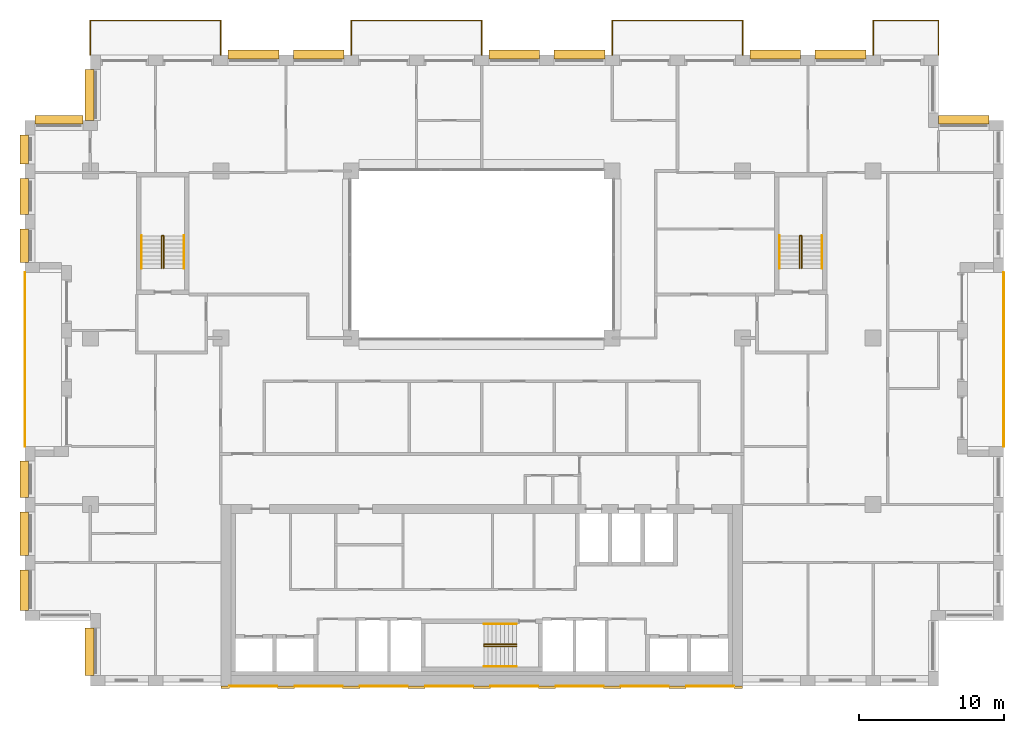
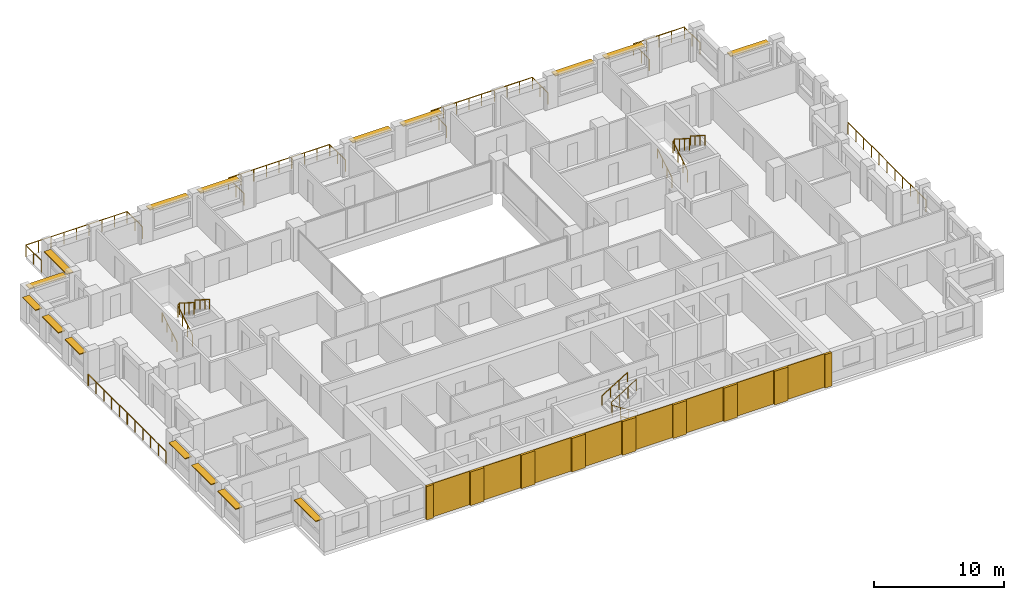
# One storey, part 16 of 16: 17 coverings, 16 shading devices, 15 railings.
"""IFC4 building model written with IfcOpenShell, lengths in metres."""

from ifc_helpers import new_model, si_unit, direction, frame, origin, origin_2d, place, context, subcontext, project, spatial, rectangle, circle, extrude, material, layer, layer_set, type_object, element, save


model = new_model("IFC4")

# Units and contexts
model_context = context("Model", 3, precision=1e-05, world=origin(), true_north=direction((0.0, 1.0)))
body_context = subcontext(model_context, "Body", "Model", "MODEL_VIEW")
ifc_project = project(units=[si_unit("LENGTHUNIT", "METRE"), si_unit("AREAUNIT", "SQUARE_METRE"), si_unit("VOLUMEUNIT", "CUBIC_METRE"), si_unit("PLANEANGLEUNIT", "RADIAN"), si_unit("MASSUNIT", "GRAM", prefix="KILO")], contexts=[model_context])

# Site, building, storey
site_placement = place(None, origin())
site = spatial("IfcSite", under=ifc_project, at=site_placement, CompositionType="ELEMENT")
building_placement = place(site_placement, origin())
building = spatial("IfcBuilding", under=site, at=building_placement, Name="Brigalow Station Residences", CompositionType="ELEMENT")
storey_placement = place(building_placement, frame((0.0, 0.0, 169.64990234375)))
storey = spatial("IfcBuildingStorey", under=building, at=storey_placement, Name="L49", CompositionType="ELEMENT", Elevation=169.64990234375)

# Railings
ifc_material_1 = material(Name="Stainless steel balustrade with laminated glass infill", Category="steel")
railing_type_1 = type_object("IfcRailingType", Name="BALCONY GUARD 1100", PredefinedType="GUARDRAIL", material=ifc_material_1)
railing_1_placement = place(storey_placement, frame((72.0, 16.5, -0.039794921875)))
element("IfcRailing", 1, at=railing_1_placement, inside=storey, type_object=railing_type_1, Name="L49/balcony-guard/1", PredefinedType="GUARDRAIL", context=body_context, shape_type="SweptSolid", body=[
    extrude(circle(Radius=0.02392578125, at=origin_2d()), frame((0.0, 0.0, 1.076171875), z_axis=(0.0, 1.0, 0.0), x_axis=(-1.0, 0.0, 0.0)), (0.0, 0.0, 1.0), 12.0),
    extrude(circle(Radius=0.02099609375, at=origin_2d()), origin(), (0.0, 0.0, 1.0), 1.052001953125),
    extrude(circle(Radius=0.02099609375, at=origin_2d()), frame((0.0, 1.199951171875, 0.0)), (0.0, 0.0, 1.0), 1.052001953125),
    extrude(circle(Radius=0.02099609375, at=origin_2d()), frame((0.0, 2.39990234375, 0.0)), (0.0, 0.0, 1.0), 1.052001953125),
    extrude(circle(Radius=0.02099609375, at=origin_2d()), frame((0.0, 3.60009765625, 0.0)), (0.0, 0.0, 1.0), 1.052001953125),
    extrude(circle(Radius=0.02099609375, at=origin_2d()), frame((0.0, 4.800048828125, 0.0)), (0.0, 0.0, 1.0), 1.052001953125),
    extrude(circle(Radius=0.02099609375, at=origin_2d()), frame((0.0, 6.0, 0.0)), (0.0, 0.0, 1.0), 1.052001953125),
    extrude(circle(Radius=0.02099609375, at=origin_2d()), frame((0.0, 7.199951171875, 0.0)), (0.0, 0.0, 1.0), 1.052001953125),
    extrude(circle(Radius=0.02099609375, at=origin_2d()), frame((0.0, 8.39990234375, 0.0)), (0.0, 0.0, 1.0), 1.052001953125),
    extrude(circle(Radius=0.02099609375, at=origin_2d()), frame((0.0, 9.60009765625, 0.0)), (0.0, 0.0, 1.0), 1.052001953125),
    extrude(circle(Radius=0.02099609375, at=origin_2d()), frame((0.0, 10.800048828125, 0.0)), (0.0, 0.0, 1.0), 1.052001953125),
    extrude(circle(Radius=0.02099609375, at=origin_2d()), frame((0.0, 12.0, 0.0)), (0.0, 0.0, 1.0), 1.052001953125),
])
railing_2_placement = place(storey_placement, frame((67.5, 43.5, -0.039794921875)))
element("IfcRailing", 2, at=railing_2_placement, inside=storey, type_object=railing_type_1, Name="L49/balcony-guard/2", PredefinedType="GUARDRAIL", context=body_context, shape_type="SweptSolid", body=[
    extrude(circle(Radius=0.02392578125, at=origin_2d()), frame((0.0, 0.0, 1.076171875), z_axis=(0.0, 1.0, 0.0), x_axis=(-1.0, 0.0, 0.0)), (0.0, 0.0, 1.0), 2.39990234375),
    extrude(circle(Radius=0.02392578125, at=origin_2d()), frame((0.0, 2.39990234375, 1.076171875), z_axis=(-1.0, 0.0, 0.0), x_axis=(0.0, -1.0, 0.0)), (0.0, 0.0, 1.0), 4.5),
    extrude(circle(Radius=0.02392578125, at=origin_2d()), frame((-4.5, 2.39990234375, 1.076171875), z_axis=(0.0, -1.0, 0.0), x_axis=(1.0, 0.0, 0.0)), (0.0, 0.0, 1.0), 2.39990234375),
    extrude(circle(Radius=0.02099609375, at=origin_2d()), origin(), (0.0, 0.0, 1.0), 1.052001953125),
    extrude(circle(Radius=0.02099609375, at=origin_2d()), frame((0.0, 1.199951171875, 0.0)), (0.0, 0.0, 1.0), 1.052001953125),
    extrude(circle(Radius=0.02099609375, at=origin_2d()), frame((0.0, 2.39990234375, 0.0)), (0.0, 0.0, 1.0), 1.052001953125),
    extrude(circle(Radius=0.02099609375, at=origin_2d()), frame((-1.125, 2.39990234375, 0.0)), (0.0, 0.0, 1.0), 1.052001953125),
    extrude(circle(Radius=0.02099609375, at=origin_2d()), frame((-2.25, 2.39990234375, 0.0)), (0.0, 0.0, 1.0), 1.052001953125),
    extrude(circle(Radius=0.02099609375, at=origin_2d()), frame((-3.375, 2.39990234375, 0.0)), (0.0, 0.0, 1.0), 1.052001953125),
    extrude(circle(Radius=0.02099609375, at=origin_2d()), frame((-4.5, 2.39990234375, 0.0)), (0.0, 0.0, 1.0), 1.052001953125),
    extrude(circle(Radius=0.02099609375, at=origin_2d()), frame((-4.5, 1.199951171875, 0.0)), (0.0, 0.0, 1.0), 1.052001953125),
    extrude(circle(Radius=0.02099609375, at=origin_2d()), frame((-4.5, 0.0, 0.0)), (0.0, 0.0, 1.0), 1.052001953125),
])
railing_3_placement = place(storey_placement, frame((54.0, 43.5, -0.039794921875)))
element("IfcRailing", 3, at=railing_3_placement, inside=storey, type_object=railing_type_1, Name="L49/balcony-guard/3", PredefinedType="GUARDRAIL", context=body_context, shape_type="SweptSolid", body=[
    extrude(circle(Radius=0.02392578125, at=origin_2d()), frame((0.0, 0.0, 1.076171875), z_axis=(0.0, 1.0, 0.0), x_axis=(-1.0, 0.0, 0.0)), (0.0, 0.0, 1.0), 2.39990234375),
    extrude(circle(Radius=0.02392578125, at=origin_2d()), frame((0.0, 2.39990234375, 1.076171875), z_axis=(-1.0, 0.0, 0.0), x_axis=(0.0, -1.0, 0.0)), (0.0, 0.0, 1.0), 9.0),
    extrude(circle(Radius=0.02392578125, at=origin_2d()), frame((-9.0, 2.39990234375, 1.076171875), z_axis=(0.0, -1.0, 0.0), x_axis=(1.0, 0.0, 0.0)), (0.0, 0.0, 1.0), 2.39990234375),
    extrude(circle(Radius=0.02099609375, at=origin_2d()), origin(), (0.0, 0.0, 1.0), 1.052001953125),
    extrude(circle(Radius=0.02099609375, at=origin_2d()), frame((0.0, 1.199951171875, 0.0)), (0.0, 0.0, 1.0), 1.052001953125),
    extrude(circle(Radius=0.02099609375, at=origin_2d()), frame((0.0, 2.39990234375, 0.0)), (0.0, 0.0, 1.0), 1.052001953125),
    extrude(circle(Radius=0.02099609375, at=origin_2d()), frame((-1.125, 2.39990234375, 0.0)), (0.0, 0.0, 1.0), 1.052001953125),
    extrude(circle(Radius=0.02099609375, at=origin_2d()), frame((-2.25, 2.39990234375, 0.0)), (0.0, 0.0, 1.0), 1.052001953125),
    extrude(circle(Radius=0.02099609375, at=origin_2d()), frame((-3.375, 2.39990234375, 0.0)), (0.0, 0.0, 1.0), 1.052001953125),
    extrude(circle(Radius=0.02099609375, at=origin_2d()), frame((-4.5, 2.39990234375, 0.0)), (0.0, 0.0, 1.0), 1.052001953125),
    extrude(circle(Radius=0.02099609375, at=origin_2d()), frame((-5.625, 2.39990234375, 0.0)), (0.0, 0.0, 1.0), 1.052001953125),
    extrude(circle(Radius=0.02099609375, at=origin_2d()), frame((-6.75, 2.39990234375, 0.0)), (0.0, 0.0, 1.0), 1.052001953125),
    extrude(circle(Radius=0.02099609375, at=origin_2d()), frame((-7.875, 2.39990234375, 0.0)), (0.0, 0.0, 1.0), 1.052001953125),
    extrude(circle(Radius=0.02099609375, at=origin_2d()), frame((-9.0, 2.39990234375, 0.0)), (0.0, 0.0, 1.0), 1.052001953125),
    extrude(circle(Radius=0.02099609375, at=origin_2d()), frame((-9.0, 1.199951171875, 0.0)), (0.0, 0.0, 1.0), 1.052001953125),
    extrude(circle(Radius=0.02099609375, at=origin_2d()), frame((-9.0, 0.0, 0.0)), (0.0, 0.0, 1.0), 1.052001953125),
])
railing_4_placement = place(storey_placement, frame((36.0, 43.5, -0.039794921875)))
element("IfcRailing", 4, at=railing_4_placement, inside=storey, type_object=railing_type_1, Name="L49/balcony-guard/4", PredefinedType="GUARDRAIL", context=body_context, shape_type="SweptSolid", body=[
    extrude(circle(Radius=0.02392578125, at=origin_2d()), frame((0.0, 0.0, 1.076171875), z_axis=(0.0, 1.0, 0.0), x_axis=(-1.0, 0.0, 0.0)), (0.0, 0.0, 1.0), 2.39990234375),
    extrude(circle(Radius=0.02392578125, at=origin_2d()), frame((0.0, 2.39990234375, 1.076171875), z_axis=(-1.0, 0.0, 0.0), x_axis=(0.0, -1.0, 0.0)), (0.0, 0.0, 1.0), 9.0),
    extrude(circle(Radius=0.02392578125, at=origin_2d()), frame((-9.0, 2.39990234375, 1.076171875), z_axis=(0.0, -1.0, 0.0), x_axis=(1.0, 0.0, 0.0)), (0.0, 0.0, 1.0), 2.39990234375),
    extrude(circle(Radius=0.02099609375, at=origin_2d()), origin(), (0.0, 0.0, 1.0), 1.052001953125),
    extrude(circle(Radius=0.02099609375, at=origin_2d()), frame((0.0, 1.199951171875, 0.0)), (0.0, 0.0, 1.0), 1.052001953125),
    extrude(circle(Radius=0.02099609375, at=origin_2d()), frame((0.0, 2.39990234375, 0.0)), (0.0, 0.0, 1.0), 1.052001953125),
    extrude(circle(Radius=0.02099609375, at=origin_2d()), frame((-1.125, 2.39990234375, 0.0)), (0.0, 0.0, 1.0), 1.052001953125),
    extrude(circle(Radius=0.02099609375, at=origin_2d()), frame((-2.25, 2.39990234375, 0.0)), (0.0, 0.0, 1.0), 1.052001953125),
    extrude(circle(Radius=0.02099609375, at=origin_2d()), frame((-3.375, 2.39990234375, 0.0)), (0.0, 0.0, 1.0), 1.052001953125),
    extrude(circle(Radius=0.02099609375, at=origin_2d()), frame((-4.5, 2.39990234375, 0.0)), (0.0, 0.0, 1.0), 1.052001953125),
    extrude(circle(Radius=0.02099609375, at=origin_2d()), frame((-5.625, 2.39990234375, 0.0)), (0.0, 0.0, 1.0), 1.052001953125),
    extrude(circle(Radius=0.02099609375, at=origin_2d()), frame((-6.75, 2.39990234375, 0.0)), (0.0, 0.0, 1.0), 1.052001953125),
    extrude(circle(Radius=0.02099609375, at=origin_2d()), frame((-7.875, 2.39990234375, 0.0)), (0.0, 0.0, 1.0), 1.052001953125),
    extrude(circle(Radius=0.02099609375, at=origin_2d()), frame((-9.0, 2.39990234375, 0.0)), (0.0, 0.0, 1.0), 1.052001953125),
    extrude(circle(Radius=0.02099609375, at=origin_2d()), frame((-9.0, 1.199951171875, 0.0)), (0.0, 0.0, 1.0), 1.052001953125),
    extrude(circle(Radius=0.02099609375, at=origin_2d()), frame((-9.0, 0.0, 0.0)), (0.0, 0.0, 1.0), 1.052001953125),
])
railing_5_placement = place(storey_placement, frame((18.0, 43.5, -0.039794921875)))
element("IfcRailing", 5, at=railing_5_placement, inside=storey, type_object=railing_type_1, Name="L49/balcony-guard/5", PredefinedType="GUARDRAIL", context=body_context, shape_type="SweptSolid", body=[
    extrude(circle(Radius=0.02392578125, at=origin_2d()), frame((0.0, 0.0, 1.076171875), z_axis=(0.0, 1.0, 0.0), x_axis=(-1.0, 0.0, 0.0)), (0.0, 0.0, 1.0), 2.39990234375),
    extrude(circle(Radius=0.02392578125, at=origin_2d()), frame((0.0, 2.39990234375, 1.076171875), z_axis=(-1.0, 0.0, 0.0), x_axis=(0.0, -1.0, 0.0)), (0.0, 0.0, 1.0), 9.0),
    extrude(circle(Radius=0.02392578125, at=origin_2d()), frame((-9.0, 2.39990234375, 1.076171875), z_axis=(0.0, -1.0, 0.0), x_axis=(1.0, 0.0, 0.0)), (0.0, 0.0, 1.0), 2.39990234375),
    extrude(circle(Radius=0.02099609375, at=origin_2d()), origin(), (0.0, 0.0, 1.0), 1.052001953125),
    extrude(circle(Radius=0.02099609375, at=origin_2d()), frame((0.0, 1.199951171875, 0.0)), (0.0, 0.0, 1.0), 1.052001953125),
    extrude(circle(Radius=0.02099609375, at=origin_2d()), frame((0.0, 2.39990234375, 0.0)), (0.0, 0.0, 1.0), 1.052001953125),
    extrude(circle(Radius=0.02099609375, at=origin_2d()), frame((-1.125, 2.39990234375, 0.0)), (0.0, 0.0, 1.0), 1.052001953125),
    extrude(circle(Radius=0.02099609375, at=origin_2d()), frame((-2.25, 2.39990234375, 0.0)), (0.0, 0.0, 1.0), 1.052001953125),
    extrude(circle(Radius=0.02099609375, at=origin_2d()), frame((-3.375, 2.39990234375, 0.0)), (0.0, 0.0, 1.0), 1.052001953125),
    extrude(circle(Radius=0.02099609375, at=origin_2d()), frame((-4.5, 2.39990234375, 0.0)), (0.0, 0.0, 1.0), 1.052001953125),
    extrude(circle(Radius=0.02099609375, at=origin_2d()), frame((-5.625, 2.39990234375, 0.0)), (0.0, 0.0, 1.0), 1.052001953125),
    extrude(circle(Radius=0.02099609375, at=origin_2d()), frame((-6.75, 2.39990234375, 0.0)), (0.0, 0.0, 1.0), 1.052001953125),
    extrude(circle(Radius=0.02099609375, at=origin_2d()), frame((-7.875, 2.39990234375, 0.0)), (0.0, 0.0, 1.0), 1.052001953125),
    extrude(circle(Radius=0.02099609375, at=origin_2d()), frame((-9.0, 2.39990234375, 0.0)), (0.0, 0.0, 1.0), 1.052001953125),
    extrude(circle(Radius=0.02099609375, at=origin_2d()), frame((-9.0, 1.199951171875, 0.0)), (0.0, 0.0, 1.0), 1.052001953125),
    extrude(circle(Radius=0.02099609375, at=origin_2d()), frame((-9.0, 0.0, 0.0)), (0.0, 0.0, 1.0), 1.052001953125),
])
railing_6_placement = place(storey_placement, frame((4.5, 28.5, -0.039794921875)))
element("IfcRailing", 6, at=railing_6_placement, inside=storey, type_object=railing_type_1, Name="L49/balcony-guard/6", PredefinedType="GUARDRAIL", context=body_context, shape_type="SweptSolid", body=[
    extrude(circle(Radius=0.02392578125, at=origin_2d()), frame((0.0, 0.0, 1.076171875), z_axis=(0.0, -1.0, 0.0), x_axis=(1.0, 0.0, 0.0)), (0.0, 0.0, 1.0), 12.0),
    extrude(circle(Radius=0.02099609375, at=origin_2d()), origin(), (0.0, 0.0, 1.0), 1.052001953125),
    extrude(circle(Radius=0.02099609375, at=origin_2d()), frame((0.0, -1.199951171875, 0.0)), (0.0, 0.0, 1.0), 1.052001953125),
    extrude(circle(Radius=0.02099609375, at=origin_2d()), frame((0.0, -2.39990234375, 0.0)), (0.0, 0.0, 1.0), 1.052001953125),
    extrude(circle(Radius=0.02099609375, at=origin_2d()), frame((0.0, -3.60009765625, 0.0)), (0.0, 0.0, 1.0), 1.052001953125),
    extrude(circle(Radius=0.02099609375, at=origin_2d()), frame((0.0, -4.800048828125, 0.0)), (0.0, 0.0, 1.0), 1.052001953125),
    extrude(circle(Radius=0.02099609375, at=origin_2d()), frame((0.0, -6.0, 0.0)), (0.0, 0.0, 1.0), 1.052001953125),
    extrude(circle(Radius=0.02099609375, at=origin_2d()), frame((0.0, -7.199951171875, 0.0)), (0.0, 0.0, 1.0), 1.052001953125),
    extrude(circle(Radius=0.02099609375, at=origin_2d()), frame((0.0, -8.39990234375, 0.0)), (0.0, 0.0, 1.0), 1.052001953125),
    extrude(circle(Radius=0.02099609375, at=origin_2d()), frame((0.0, -9.60009765625, 0.0)), (0.0, 0.0, 1.0), 1.052001953125),
    extrude(circle(Radius=0.02099609375, at=origin_2d()), frame((0.0, -10.800048828125, 0.0)), (0.0, 0.0, 1.0), 1.052001953125),
    extrude(circle(Radius=0.02099609375, at=origin_2d()), frame((0.0, -12.0, 0.0)), (0.0, 0.0, 1.0), 1.052001953125),
])

# Coverings
ifc_material_2 = material(Name="Clay brick masonry", Category="masonry")
ifc_layer_1 = layer(ifc_material_2, 0.06005859375)
ifc_layer_set_1 = layer_set([ifc_layer_1], Name="BRICK PANEL FACING 60")
covering_type_1 = type_object("IfcCoveringType", Name="BRICK PANEL FACING 60", PredefinedType="CLADDING", material=ifc_layer_set_1)
for number, where, z_axis, x_axis, name in (
    (7, (20.25, -0.030029296875, 0.000244140625), (0.0, 0.0, 1.0), (1.0, 0.0, 0.0), "L49/rear-facing/panel-1"),
    (8, (24.75, -0.030029296875, 0.000244140625), (0.0, 0.0, 1.0), (1.0, 0.0, 0.0), "L49/rear-facing/panel-2"),
    (9, (29.25, -0.030029296875, 0.000244140625), (0.0, 0.0, 1.0), (1.0, 0.0, 0.0), "L49/rear-facing/panel-3"),
    (10, (33.75, -0.030029296875, 0.000244140625), (0.0, 0.0, 1.0), (1.0, 0.0, 0.0), "L49/rear-facing/panel-4"),
    (11, (38.25, -0.030029296875, 0.000244140625), (0.0, 0.0, 1.0), (1.0, 0.0, 0.0), "L49/rear-facing/panel-5"),
    (12, (42.75, -0.030029296875, 0.000244140625), (0.0, 0.0, 1.0), (1.0, 0.0, 0.0), "L49/rear-facing/panel-6"),
    (13, (47.25, -0.030029296875, 0.000244140625), (0.0, 0.0, 1.0), (1.0, 0.0, 0.0), "L49/rear-facing/panel-7"),
    (14, (51.75, -0.030029296875, 0.000244140625), (0.0, 0.0, 1.0), (1.0, 0.0, 0.0), "L49/rear-facing/panel-8"),
):
    element("IfcCovering", number, at=place(storey_placement, frame(where, z_axis=z_axis, x_axis=x_axis)), inside=storey, type_object=covering_type_1, Name=name, PredefinedType="CLADDING", context=body_context, shape_type="SweptSolid", body=[
        extrude(rectangle(XDim=3.300048828125, YDim=0.06005859375, at=origin_2d()), origin(), (0.0, 0.0, 1.0), 3.14990234375),
    ])
ifc_material_3 = material(Name="Clay brick masonry", Category="masonry")
ifc_layer_2 = layer(ifc_material_3, 0.199951171875)
ifc_layer_set_2 = layer_set([ifc_layer_2], Name="BRICK PIER FACING 200")
covering_type_2 = type_object("IfcCoveringType", Name="BRICK PIER FACING 200", PredefinedType="CLADDING", material=ifc_layer_set_2)
covering_1_placement = place(storey_placement, frame((18.300048828125, -0.10009765625, 0.000244140625), z_axis=(0.0, 0.0, 1.0), x_axis=(1.0, 0.0, 0.0)))
element("IfcCovering", 15, at=covering_1_placement, inside=storey, type_object=covering_type_2, Name="L49/rear-facing/pier-1", PredefinedType="CLADDING", context=body_context, shape_type="SweptSolid", body=[
    extrude(rectangle(XDim=0.60009765625, YDim=0.199951171875, at=origin_2d()), origin(), (0.0, 0.0, 1.0), 3.14990234375),
])
for number, where, z_axis, x_axis, name in (
    (16, (22.5, -0.10009765625, 0.000244140625), (0.0, 0.0, 1.0), (1.0, 0.0, 0.0), "L49/rear-facing/pier-2"),
    (17, (27.0, -0.10009765625, 0.000244140625), (0.0, 0.0, 1.0), (1.0, 0.0, 0.0), "L49/rear-facing/pier-3"),
    (18, (31.5, -0.10009765625, 0.000244140625), (0.0, 0.0, 1.0), (1.0, 0.0, 0.0), "L49/rear-facing/pier-4"),
    (19, (36.0, -0.10009765625, 0.000244140625), (0.0, 0.0, 1.0), (1.0, 0.0, 0.0), "L49/rear-facing/pier-5"),
    (20, (40.5, -0.10009765625, 0.000244140625), (0.0, 0.0, 1.0), (1.0, 0.0, 0.0), "L49/rear-facing/pier-6"),
    (21, (45.0, -0.10009765625, 0.000244140625), (0.0, 0.0, 1.0), (1.0, 0.0, 0.0), "L49/rear-facing/pier-7"),
    (22, (49.5, -0.10009765625, 0.000244140625), (0.0, 0.0, 1.0), (1.0, 0.0, 0.0), "L49/rear-facing/pier-8"),
):
    element("IfcCovering", number, at=place(storey_placement, frame(where, z_axis=z_axis, x_axis=x_axis)), inside=storey, type_object=covering_type_2, Name=name, PredefinedType="CLADDING", context=body_context, shape_type="SweptSolid", body=[
        extrude(rectangle(XDim=1.199951171875, YDim=0.199951171875, at=origin_2d()), origin(), (0.0, 0.0, 1.0), 3.14990234375),
    ])
covering_2_placement = place(storey_placement, frame((53.699951171875, -0.10009765625, 0.000244140625), z_axis=(0.0, 0.0, 1.0), x_axis=(1.0, 0.0, 0.0)))
element("IfcCovering", 23, at=covering_2_placement, inside=storey, type_object=covering_type_2, Name="L49/rear-facing/pier-9", PredefinedType="CLADDING", context=body_context, shape_type="SweptSolid", body=[
    extrude(rectangle(XDim=0.60009765625, YDim=0.199951171875, at=origin_2d()), origin(), (0.0, 0.0, 1.0), 3.14990234375),
])

# Railings
ifc_material_4 = material(Name="Stainless steel balustrade", Category="steel")
railing_type_2 = type_object("IfcRailingType", Name="STAIR GUARD 1100", PredefinedType="GUARDRAIL", material=ifc_material_4)
railing_7_placement = place(storey_placement, frame((38.39990234375, 2.72998046875, 0.175048828125)))
element("IfcRailing", 24, at=railing_7_placement, inside=storey, type_object=railing_type_2, Name="GUARD GR-2", PredefinedType="GUARDRAIL", context=body_context, shape_type="SweptSolid", body=[
    extrude(circle(Radius=0.02392578125, at=origin_2d()), frame((0.0, 0.0, 1.076171875), z_axis=(-0.847972341737, 0.0, 0.530040477369), x_axis=(0.0, -1.0, 0.0)), (0.0, 0.0, 1.0), 2.6416015625),
    extrude(circle(Radius=0.02392578125, at=origin_2d()), frame((-2.239990234375, 0.0, 2.47607421875), z_axis=(0.0, 0.62549206879, 0.780230524833), x_axis=(-1.0, 0.0, 0.0)), (0.0, 0.0, 1.0), 0.22412109375),
    extrude(circle(Radius=0.02392578125, at=origin_2d()), frame((-2.239990234375, 0.14013671875, 2.65087890625), z_axis=(0.847972341737, 0.0, 0.530040477369), x_axis=(0.0, 1.0, 0.0)), (0.0, 0.0, 1.0), 2.6416015625),
    extrude(circle(Radius=0.02099609375, at=origin_2d()), origin(), (0.0, 0.0, 1.0), 1.052001953125),
    extrude(circle(Radius=0.02099609375, at=origin_2d()), frame((-0.74658203125, 0.0, 0.466796875)), (0.0, 0.0, 1.0), 1.052001953125),
    extrude(circle(Radius=0.02099609375, at=origin_2d()), frame((-1.493408203125, 0.0, 0.933349609375)), (0.0, 0.0, 1.0), 1.052001953125),
    extrude(circle(Radius=0.02099609375, at=origin_2d()), frame((-2.239990234375, 0.0, 1.400146484375)), (0.0, 0.0, 1.0), 1.052001953125),
    extrude(circle(Radius=0.02099609375, at=origin_2d()), frame((-2.239990234375, 0.14013671875, 1.574951171875)), (0.0, 0.0, 1.0), 1.052001953125),
    extrude(circle(Radius=0.02099609375, at=origin_2d()), frame((-1.493408203125, 0.14013671875, 2.041748046875)), (0.0, 0.0, 1.0), 1.052001953125),
    extrude(circle(Radius=0.02099609375, at=origin_2d()), frame((-0.74658203125, 0.14013671875, 2.50830078125)), (0.0, 0.0, 1.0), 1.052001953125),
    extrude(circle(Radius=0.02099609375, at=origin_2d()), frame((0.0, 0.14013671875, 2.97509765625)), (0.0, 0.0, 1.0), 1.052001953125),
])
for number, where, name in (
    (25, (13.929931640625, 28.800048828125, 0.175048828125), "GUARD GR-1"),
    (26, (57.929931640625, 28.800048828125, 0.175048828125), "GUARD GR-3"),
):
    element("IfcRailing", number, at=place(storey_placement, frame(where)), inside=storey, type_object=railing_type_2, Name=name, PredefinedType="GUARDRAIL", context=body_context, shape_type="SweptSolid", body=[
        extrude(circle(Radius=0.02392578125, at=origin_2d()), frame((0.0, 0.0, 1.076171875), z_axis=(0.0, 0.847972341737, 0.530040477369), x_axis=(-1.0, 0.0, 0.0)), (0.0, 0.0, 1.0), 2.6416015625),
        extrude(circle(Radius=0.02392578125, at=origin_2d()), frame((0.0, 2.239990234375, 2.47607421875), z_axis=(0.62549206879, 0.0, 0.780230524833), x_axis=(0.0, 1.0, 0.0)), (0.0, 0.0, 1.0), 0.22412109375),
        extrude(circle(Radius=0.02392578125, at=origin_2d()), frame((0.14013671875, 2.239990234375, 2.65087890625), z_axis=(0.0, -0.847972341737, 0.530040477369), x_axis=(1.0, 0.0, 0.0)), (0.0, 0.0, 1.0), 2.6416015625),
        extrude(circle(Radius=0.02099609375, at=origin_2d()), origin(), (0.0, 0.0, 1.0), 1.052001953125),
        extrude(circle(Radius=0.02099609375, at=origin_2d()), frame((0.0, 0.74658203125, 0.466796875)), (0.0, 0.0, 1.0), 1.052001953125),
        extrude(circle(Radius=0.02099609375, at=origin_2d()), frame((0.0, 1.493408203125, 0.933349609375)), (0.0, 0.0, 1.0), 1.052001953125),
        extrude(circle(Radius=0.02099609375, at=origin_2d()), frame((0.0, 2.239990234375, 1.400146484375)), (0.0, 0.0, 1.0), 1.052001953125),
        extrude(circle(Radius=0.02099609375, at=origin_2d()), frame((0.14013671875, 2.239990234375, 1.574951171875)), (0.0, 0.0, 1.0), 1.052001953125),
        extrude(circle(Radius=0.02099609375, at=origin_2d()), frame((0.14013671875, 1.493408203125, 2.041748046875)), (0.0, 0.0, 1.0), 1.052001953125),
        extrude(circle(Radius=0.02099609375, at=origin_2d()), frame((0.14013671875, 0.74658203125, 2.50830078125)), (0.0, 0.0, 1.0), 1.052001953125),
        extrude(circle(Radius=0.02099609375, at=origin_2d()), frame((0.14013671875, 0.0, 2.97509765625)), (0.0, 0.0, 1.0), 1.052001953125),
    ])
ifc_material_5 = material(Name="Stainless steel handrail", Category="steel")
railing_type_3 = type_object("IfcRailingType", Name="STAIR HANDRAIL 900", PredefinedType="HANDRAIL", material=ifc_material_5)
railing_8_placement = place(storey_placement, frame((38.39990234375, 1.340087890625, 0.175048828125)))
element("IfcRailing", 27, at=railing_8_placement, inside=storey, type_object=railing_type_3, Name="HANDRAIL HR-21", PredefinedType="HANDRAIL", context=body_context, shape_type="SweptSolid", body=[
    extrude(circle(Radius=0.02392578125, at=origin_2d()), frame((0.0, 0.0, 0.8759765625), z_axis=(-0.847972341737, 0.0, 0.530040477369), x_axis=(0.0, -1.0, 0.0)), (0.0, 0.0, 1.0), 2.6416015625),
    extrude(circle(Radius=0.02099609375, at=origin_2d()), origin(), (0.0, 0.0, 1.0), 0.851806640625),
    extrude(circle(Radius=0.02099609375, at=origin_2d()), frame((-0.74658203125, 0.0, 0.466796875)), (0.0, 0.0, 1.0), 0.851806640625),
    extrude(circle(Radius=0.02099609375, at=origin_2d()), frame((-1.493408203125, 0.0, 0.933349609375)), (0.0, 0.0, 1.0), 0.851806640625),
    extrude(circle(Radius=0.02099609375, at=origin_2d()), frame((-2.239990234375, 0.0, 1.400146484375)), (0.0, 0.0, 1.0), 0.851806640625),
])
railing_9_placement = place(storey_placement, frame((36.159912109375, 4.260009765625, 1.75)))
element("IfcRailing", 28, at=railing_9_placement, inside=storey, type_object=railing_type_3, Name="HANDRAIL HR-22", PredefinedType="HANDRAIL", context=body_context, shape_type="SweptSolid", body=[
    extrude(circle(Radius=0.02392578125, at=origin_2d()), frame((0.0, 0.0, 0.8759765625), z_axis=(0.847972341737, 0.0, 0.530040477369), x_axis=(0.0, 1.0, 0.0)), (0.0, 0.0, 1.0), 2.6416015625),
    extrude(circle(Radius=0.02099609375, at=origin_2d()), origin(), (0.0, 0.0, 1.0), 0.851806640625),
    extrude(circle(Radius=0.02099609375, at=origin_2d()), frame((0.74658203125, 0.0, 0.466796875)), (0.0, 0.0, 1.0), 0.851806640625),
    extrude(circle(Radius=0.02099609375, at=origin_2d()), frame((1.493408203125, 0.0, 0.933349609375)), (0.0, 0.0, 1.0), 0.851806640625),
    extrude(circle(Radius=0.02099609375, at=origin_2d()), frame((2.239990234375, 0.0, 1.400146484375)), (0.0, 0.0, 1.0), 0.851806640625),
])
railing_10_placement = place(storey_placement, frame((12.5400390625, 28.800048828125, 0.175048828125)))
element("IfcRailing", 29, at=railing_10_placement, inside=storey, type_object=railing_type_3, Name="HANDRAIL HR-11", PredefinedType="HANDRAIL", context=body_context, shape_type="SweptSolid", body=[
    extrude(circle(Radius=0.02392578125, at=origin_2d()), frame((0.0, 0.0, 0.8759765625), z_axis=(0.0, 0.847972341737, 0.530040477369), x_axis=(-1.0, 0.0, 0.0)), (0.0, 0.0, 1.0), 2.6416015625),
    extrude(circle(Radius=0.02099609375, at=origin_2d()), origin(), (0.0, 0.0, 1.0), 0.851806640625),
    extrude(circle(Radius=0.02099609375, at=origin_2d()), frame((0.0, 0.74658203125, 0.466796875)), (0.0, 0.0, 1.0), 0.851806640625),
    extrude(circle(Radius=0.02099609375, at=origin_2d()), frame((0.0, 1.493408203125, 0.933349609375)), (0.0, 0.0, 1.0), 0.851806640625),
    extrude(circle(Radius=0.02099609375, at=origin_2d()), frame((0.0, 2.239990234375, 1.400146484375)), (0.0, 0.0, 1.0), 0.851806640625),
])
railing_11_placement = place(storey_placement, frame((15.4599609375, 31.0400390625, 1.75)))
element("IfcRailing", 30, at=railing_11_placement, inside=storey, type_object=railing_type_3, Name="HANDRAIL HR-12", PredefinedType="HANDRAIL", context=body_context, shape_type="SweptSolid", body=[
    extrude(circle(Radius=0.02392578125, at=origin_2d()), frame((0.0, 0.0, 0.8759765625), z_axis=(0.0, -0.847972341737, 0.530040477369), x_axis=(1.0, 0.0, 0.0)), (0.0, 0.0, 1.0), 2.6416015625),
    extrude(circle(Radius=0.02099609375, at=origin_2d()), origin(), (0.0, 0.0, 1.0), 0.851806640625),
    extrude(circle(Radius=0.02099609375, at=origin_2d()), frame((0.0, -0.74658203125, 0.466796875)), (0.0, 0.0, 1.0), 0.851806640625),
    extrude(circle(Radius=0.02099609375, at=origin_2d()), frame((0.0, -1.493408203125, 0.933349609375)), (0.0, 0.0, 1.0), 0.851806640625),
    extrude(circle(Radius=0.02099609375, at=origin_2d()), frame((0.0, -2.239990234375, 1.400146484375)), (0.0, 0.0, 1.0), 0.851806640625),
])
railing_12_placement = place(storey_placement, frame((56.5400390625, 28.800048828125, 0.175048828125)))
element("IfcRailing", 31, at=railing_12_placement, inside=storey, type_object=railing_type_3, Name="HANDRAIL HR-31", PredefinedType="HANDRAIL", context=body_context, shape_type="SweptSolid", body=[
    extrude(circle(Radius=0.02392578125, at=origin_2d()), frame((0.0, 0.0, 0.8759765625), z_axis=(0.0, 0.847972341737, 0.530040477369), x_axis=(-1.0, 0.0, 0.0)), (0.0, 0.0, 1.0), 2.6416015625),
    extrude(circle(Radius=0.02099609375, at=origin_2d()), origin(), (0.0, 0.0, 1.0), 0.851806640625),
    extrude(circle(Radius=0.02099609375, at=origin_2d()), frame((0.0, 0.74658203125, 0.466796875)), (0.0, 0.0, 1.0), 0.851806640625),
    extrude(circle(Radius=0.02099609375, at=origin_2d()), frame((0.0, 1.493408203125, 0.933349609375)), (0.0, 0.0, 1.0), 0.851806640625),
    extrude(circle(Radius=0.02099609375, at=origin_2d()), frame((0.0, 2.239990234375, 1.400146484375)), (0.0, 0.0, 1.0), 0.851806640625),
])
railing_13_placement = place(storey_placement, frame((59.4599609375, 31.0400390625, 1.75)))
element("IfcRailing", 32, at=railing_13_placement, inside=storey, type_object=railing_type_3, Name="HANDRAIL HR-32", PredefinedType="HANDRAIL", context=body_context, shape_type="SweptSolid", body=[
    extrude(circle(Radius=0.02392578125, at=origin_2d()), frame((0.0, 0.0, 0.8759765625), z_axis=(0.0, -0.847972341737, 0.530040477369), x_axis=(1.0, 0.0, 0.0)), (0.0, 0.0, 1.0), 2.6416015625),
    extrude(circle(Radius=0.02099609375, at=origin_2d()), origin(), (0.0, 0.0, 1.0), 0.851806640625),
    extrude(circle(Radius=0.02099609375, at=origin_2d()), frame((0.0, -0.74658203125, 0.466796875)), (0.0, 0.0, 1.0), 0.851806640625),
    extrude(circle(Radius=0.02099609375, at=origin_2d()), frame((0.0, -1.493408203125, 0.933349609375)), (0.0, 0.0, 1.0), 0.851806640625),
    extrude(circle(Radius=0.02099609375, at=origin_2d()), frame((0.0, -2.239990234375, 1.400146484375)), (0.0, 0.0, 1.0), 0.851806640625),
])

# Shading devices
ifc_material_6 = material(Name="Powder-coated extruded aluminium blade", Category="aluminium")
ifc_layer_3 = layer(ifc_material_6, 0.080078125)
ifc_layer_set_3 = layer_set([ifc_layer_3], Name="SUNSHADE BLADE 600x80")
shading_device_type = type_object("IfcShadingDeviceType", Name="SUNSHADE BLADE 600x80", PredefinedType="JALOUSIE", material=ifc_layer_set_3)
for number, where, z_axis, x_axis, name in (
    (33, (69.25, 39.050048828125, 2.550048828125), (0.0, 0.0, 1.0), (-1.0, 0.0, 0.0), "L49/blade/W-L49-20"),
    (34, (60.75, 43.550048828125, 2.550048828125), (0.0, 0.0, 1.0), (-1.0, 0.0, 0.0), "L49/blade/W-L49-23"),
    (35, (56.25, 43.550048828125, 2.550048828125), (0.0, 0.0, 1.0), (-1.0, 0.0, 0.0), "L49/blade/W-L49-24"),
    (36, (42.75, 43.550048828125, 2.550048828125), (0.0, 0.0, 1.0), (-1.0, 0.0, 0.0), "L49/blade/W-L49-27"),
    (37, (38.25, 43.550048828125, 2.550048828125), (0.0, 0.0, 1.0), (-1.0, 0.0, 0.0), "L49/blade/W-L49-28"),
    (38, (24.75, 43.550048828125, 2.550048828125), (0.0, 0.0, 1.0), (-1.0, 0.0, 0.0), "L49/blade/W-L49-31"),
    (39, (20.25, 43.550048828125, 2.550048828125), (0.0, 0.0, 1.0), (-1.0, 0.0, 0.0), "L49/blade/W-L49-32"),
    (40, (8.949951171875, 40.75, 2.550048828125), (0.0, 0.0, 1.0), (0.0, -1.0, 0.0), "L49/blade/W-L49-35"),
):
    element("IfcShadingDevice", number, at=place(storey_placement, frame(where, z_axis=z_axis, x_axis=x_axis)), inside=storey, type_object=shading_device_type, Name=name, PredefinedType="JALOUSIE", context=body_context, shape_type="SweptSolid", body=[
        extrude(rectangle(XDim=3.5, YDim=0.60009765625, at=origin_2d()), origin(), (0.0, 0.0, 1.0), 0.080078125),
    ])
shading_device_1_placement = place(storey_placement, frame((6.85009765625, 39.050048828125, 2.550048828125), z_axis=(0.0, 0.0, 1.0), x_axis=(-1.0, 0.0, 0.0)))
element("IfcShadingDevice", 41, at=shading_device_1_placement, inside=storey, type_object=shading_device_type, Name="L49/blade/W-L49-36", PredefinedType="JALOUSIE", context=body_context, shape_type="SweptSolid", body=[
    extrude(rectangle(XDim=3.300048828125, YDim=0.60009765625, at=origin_2d()), origin(), (0.0, 0.0, 1.0), 0.080078125),
])
shading_device_2_placement = place(storey_placement, frame((4.449951171875, 37.0, 2.550048828125), z_axis=(0.0, 0.0, 1.0), x_axis=(0.0, -1.0, 0.0)))
element("IfcShadingDevice", 42, at=shading_device_2_placement, inside=storey, type_object=shading_device_type, Name="L49/blade/W-L49-37", PredefinedType="JALOUSIE", context=body_context, shape_type="SweptSolid", body=[
    extrude(rectangle(XDim=2.0, YDim=0.60009765625, at=origin_2d()), origin(), (0.0, 0.0, 1.0), 0.080078125),
])
shading_device_3_placement = place(storey_placement, frame((4.449951171875, 33.75, 2.550048828125), z_axis=(0.0, 0.0, 1.0), x_axis=(0.0, -1.0, 0.0)))
element("IfcShadingDevice", 43, at=shading_device_3_placement, inside=storey, type_object=shading_device_type, Name="L49/blade/W-L49-38", PredefinedType="JALOUSIE", context=body_context, shape_type="SweptSolid", body=[
    extrude(rectangle(XDim=2.5, YDim=0.60009765625, at=origin_2d()), origin(), (0.0, 0.0, 1.0), 0.080078125),
])
shading_device_4_placement = place(storey_placement, frame((4.449951171875, 30.35009765625, 2.550048828125), z_axis=(0.0, 0.0, 1.0), x_axis=(0.0, -1.0, 0.0)))
element("IfcShadingDevice", 44, at=shading_device_4_placement, inside=storey, type_object=shading_device_type, Name="L49/blade/W-L49-39", PredefinedType="JALOUSIE", context=body_context, shape_type="SweptSolid", body=[
    extrude(rectangle(XDim=2.300048828125, YDim=0.60009765625, at=origin_2d()), origin(), (0.0, 0.0, 1.0), 0.080078125),
])
shading_device_5_placement = place(storey_placement, frame((4.449951171875, 14.25, 2.550048828125), z_axis=(0.0, 0.0, 1.0), x_axis=(0.0, -1.0, 0.0)))
element("IfcShadingDevice", 45, at=shading_device_5_placement, inside=storey, type_object=shading_device_type, Name="L49/blade/W-L49-45", PredefinedType="JALOUSIE", context=body_context, shape_type="SweptSolid", body=[
    extrude(rectangle(XDim=2.5, YDim=0.60009765625, at=origin_2d()), origin(), (0.0, 0.0, 1.0), 0.080078125),
])
shading_device_6_placement = place(storey_placement, frame((4.449951171875, 10.5, 2.550048828125), z_axis=(0.0, 0.0, 1.0), x_axis=(0.0, -1.0, 0.0)))
element("IfcShadingDevice", 46, at=shading_device_6_placement, inside=storey, type_object=shading_device_type, Name="L49/blade/W-L49-46", PredefinedType="JALOUSIE", context=body_context, shape_type="SweptSolid", body=[
    extrude(rectangle(XDim=3.0, YDim=0.60009765625, at=origin_2d()), origin(), (0.0, 0.0, 1.0), 0.080078125),
])
shading_device_7_placement = place(storey_placement, frame((4.449951171875, 6.60009765625, 2.550048828125), z_axis=(0.0, 0.0, 1.0), x_axis=(0.0, -1.0, 0.0)))
element("IfcShadingDevice", 47, at=shading_device_7_placement, inside=storey, type_object=shading_device_type, Name="L49/blade/W-L49-47", PredefinedType="JALOUSIE", context=body_context, shape_type="SweptSolid", body=[
    extrude(rectangle(XDim=2.800048828125, YDim=0.60009765625, at=origin_2d()), origin(), (0.0, 0.0, 1.0), 0.080078125),
])
shading_device_8_placement = place(storey_placement, frame((8.949951171875, 2.35009765625, 2.550048828125), z_axis=(0.0, 0.0, 1.0), x_axis=(0.0, -1.0, 0.0)))
element("IfcShadingDevice", 48, at=shading_device_8_placement, inside=storey, type_object=shading_device_type, Name="L49/blade/W-L49-49", PredefinedType="JALOUSIE", context=body_context, shape_type="SweptSolid", body=[
    extrude(rectangle(XDim=3.300048828125, YDim=0.60009765625, at=origin_2d()), origin(), (0.0, 0.0, 1.0), 0.080078125),
])

save(model, "model.ifc")
